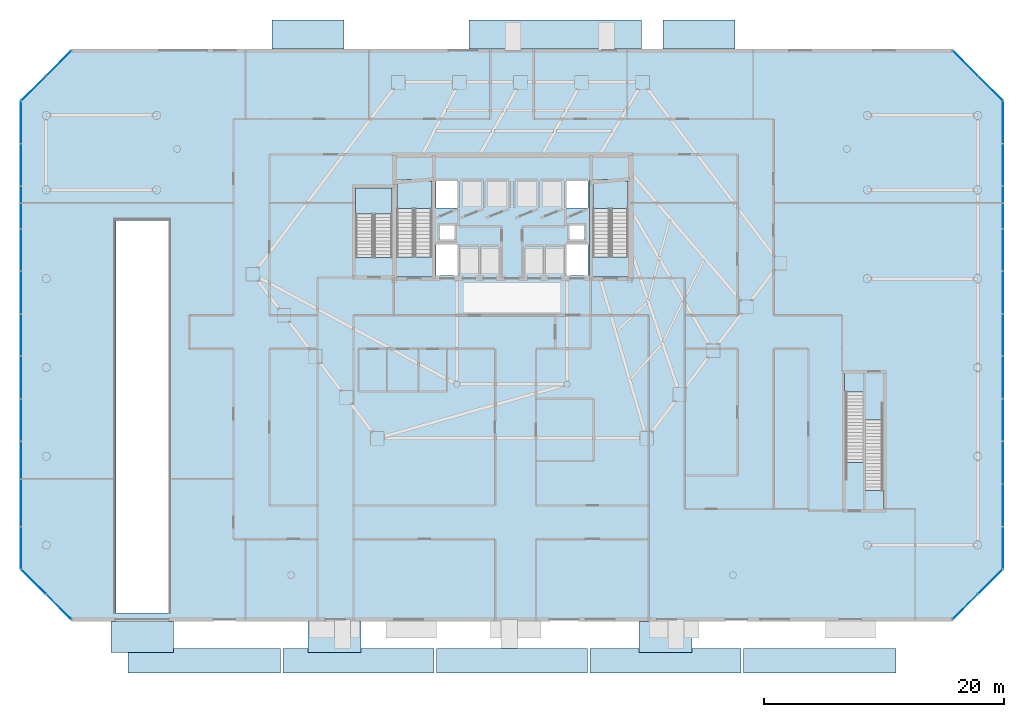
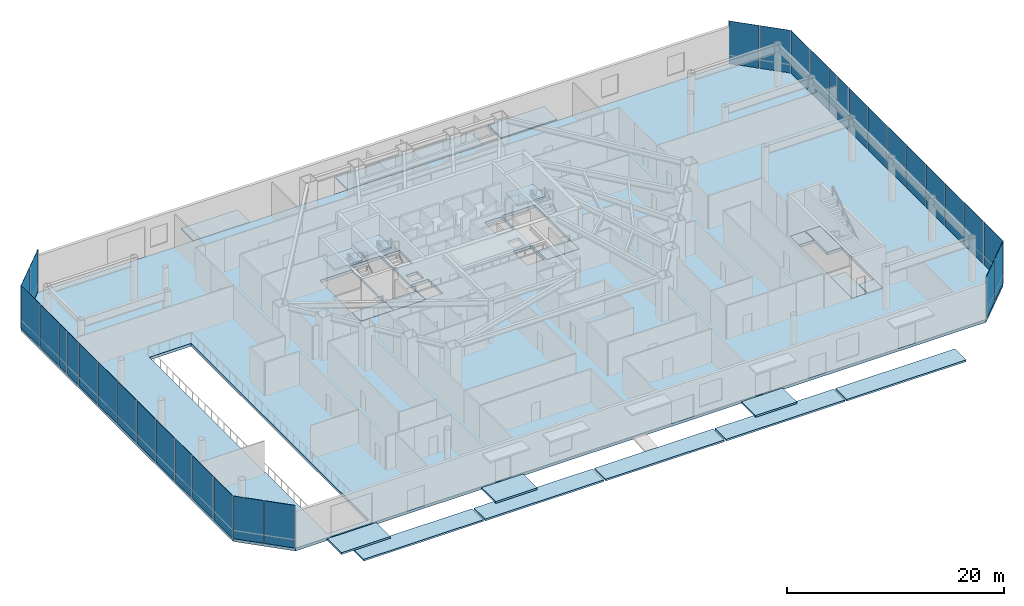
# One storey, part 21 of 31: 32 plates, 22 slabs, 9 elements without a shape of their own.
"""IFC4 building model written with IfcOpenShell, lengths in metres."""

from ifc_helpers import new_model, si_unit, direction, frame, origin, origin_2d, place, context, subcontext, project, spatial, polyline, rectangle, outline, extrude, material, layer, layer_set, type_object, element, aggregate, save


model = new_model("IFC4")

# Units and contexts
model_context = context("Model", 3, precision=1e-05, world=origin(), true_north=direction((0.0, 1.0)))
body_context = subcontext(model_context, "Body", "Model", "MODEL_VIEW")
ifc_project = project(units=[si_unit("LENGTHUNIT", "METRE"), si_unit("AREAUNIT", "SQUARE_METRE"), si_unit("VOLUMEUNIT", "CUBIC_METRE"), si_unit("PLANEANGLEUNIT", "RADIAN"), si_unit("MASSUNIT", "GRAM", prefix="KILO")], contexts=[model_context])

# Site, building, storey
site_placement = place(None, origin())
site = spatial("IfcSite", under=ifc_project, at=site_placement, CompositionType="ELEMENT")
building_placement = place(site_placement, origin())
building = spatial("IfcBuilding", under=site, at=building_placement, Name="Zarrinselat Tower", CompositionType="ELEMENT")
storey_placement = place(building_placement, origin())
storey = spatial("IfcBuildingStorey", under=building, at=storey_placement, Name="L00", CompositionType="ELEMENT", Elevation=0.0)

# Curtain wall, plates
ifc_material_1 = material(Name="Extruded Aluminium Alloy EN AW-6063 T6", Category="aluminium")
ifc_layer_1 = layer(ifc_material_1, 0.2099609375)
ifc_layer_set_1 = layer_set([ifc_layer_1], Name="Extruded Aluminium Alloy EN AW-6063 T6")
curtain_wall_type = type_object("IfcCurtainWallType", Name="CWS-POD", PredefinedType="NOTDEFINED", material=ifc_layer_set_1)
curtain_wall_1_placement = place(storey_placement, origin())
curtain_wall_1 = element("IfcCurtainWall", 1, at=curtain_wall_1_placement, inside=storey, type_object=curtain_wall_type, Name="L00 Unitised Curtain Wall CW-L00-E2", PredefinedType="NOTDEFINED")
ifc_material_2 = material(Name="Double Low-E Laminated Solar Glass", Category="glass")
ifc_layer_2 = layer(ifc_material_2, 0.035888671875)
ifc_layer_set_2 = layer_set([ifc_layer_2], Name="Double Low-E Laminated Solar Glass")
plate_type = type_object("IfcPlateType", Name="PLT-CW-GL36", PredefinedType="CURTAIN_PANEL", material=ifc_layer_set_2)
plate_1_placement = place(storey_placement, frame((76.14990234375, 5.85009765625, 0.02001953125), z_axis=(0.0, 0.0, 1.0), x_axis=(0.707106781187, 0.707106781187, 0.0)))
plate_1 = element("IfcPlate", 2, at=plate_1_placement, type_object=plate_type, Name="CW-L00-E2 Vision Glass Panel 1", PredefinedType="CURTAIN_PANEL", context=body_context, shape_type="SweptSolid", body=[
    extrude(rectangle(XDim=2.869873046875, YDim=0.035888671875, at=origin_2d()), origin(), (0.0, 0.0, 1.0), 4.780029296875),
])
plate_2_placement = place(storey_placement, frame((78.25, 7.949951171875, 0.02001953125), z_axis=(0.0, 0.0, 1.0), x_axis=(0.707106781187, 0.707106781187, 0.0)))
plate_2 = element("IfcPlate", 3, at=plate_2_placement, type_object=plate_type, Name="CW-L00-E2 Vision Glass Panel 2", PredefinedType="CURTAIN_PANEL", context=body_context, shape_type="SweptSolid", body=[
    extrude(rectangle(XDim=2.869873046875, YDim=0.035888671875, at=origin_2d()), origin(), (0.0, 0.0, 1.0), 4.780029296875),
])
aggregate(curtain_wall_1, [plate_1, plate_2])

curtain_wall_2_placement = place(storey_placement, origin())
curtain_wall_2 = element("IfcCurtainWall", 4, at=curtain_wall_2_placement, inside=storey, type_object=curtain_wall_type, Name="L00 Unitised Curtain Wall CW-L00-E3", PredefinedType="NOTDEFINED")
plate_3_placement = place(storey_placement, frame((79.300048828125, 10.772705078125, 0.02001953125), z_axis=(0.0, 0.0, 1.0), x_axis=(0.0, 1.0, 0.0)))
plate_3 = element("IfcPlate", 5, at=plate_3_placement, type_object=plate_type, Name="CW-L00-E3 Vision Glass Panel 1", PredefinedType="CURTAIN_PANEL", context=body_context, shape_type="SweptSolid", body=[
    extrude(rectangle(XDim=3.445556640625, YDim=0.035888671875, at=origin_2d()), origin(), (0.0, 0.0, 1.0), 4.780029296875),
])
plate_4_placement = place(storey_placement, frame((79.300048828125, 14.318115234375, 0.02001953125), z_axis=(0.0, 0.0, 1.0), x_axis=(0.0, 1.0, 0.0)))
plate_4 = element("IfcPlate", 6, at=plate_4_placement, type_object=plate_type, Name="CW-L00-E3 Vision Glass Panel 2", PredefinedType="CURTAIN_PANEL", context=body_context, shape_type="SweptSolid", body=[
    extrude(rectangle(XDim=3.445556640625, YDim=0.035888671875, at=origin_2d()), origin(), (0.0, 0.0, 1.0), 4.780029296875),
])
plate_5_placement = place(storey_placement, frame((79.300048828125, 17.863525390625, 0.02001953125), z_axis=(0.0, 0.0, 1.0), x_axis=(0.0, 1.0, 0.0)))
plate_5 = element("IfcPlate", 7, at=plate_5_placement, type_object=plate_type, Name="CW-L00-E3 Vision Glass Panel 3", PredefinedType="CURTAIN_PANEL", context=body_context, shape_type="SweptSolid", body=[
    extrude(rectangle(XDim=3.445556640625, YDim=0.035888671875, at=origin_2d()), origin(), (0.0, 0.0, 1.0), 4.780029296875),
])
plate_6_placement = place(storey_placement, frame((79.300048828125, 21.4091796875, 0.02001953125), z_axis=(0.0, 0.0, 1.0), x_axis=(0.0, 1.0, 0.0)))
plate_6 = element("IfcPlate", 8, at=plate_6_placement, type_object=plate_type, Name="CW-L00-E3 Vision Glass Panel 4", PredefinedType="CURTAIN_PANEL", context=body_context, shape_type="SweptSolid", body=[
    extrude(rectangle(XDim=3.445556640625, YDim=0.035888671875, at=origin_2d()), origin(), (0.0, 0.0, 1.0), 4.780029296875),
])
plate_7_placement = place(storey_placement, frame((79.300048828125, 24.95458984375, 0.02001953125), z_axis=(0.0, 0.0, 1.0), x_axis=(0.0, 1.0, 0.0)))
plate_7 = element("IfcPlate", 9, at=plate_7_placement, type_object=plate_type, Name="CW-L00-E3 Vision Glass Panel 5", PredefinedType="CURTAIN_PANEL", context=body_context, shape_type="SweptSolid", body=[
    extrude(rectangle(XDim=3.445556640625, YDim=0.035888671875, at=origin_2d()), origin(), (0.0, 0.0, 1.0), 4.780029296875),
])
plate_8_placement = place(storey_placement, frame((79.300048828125, 28.5, 0.02001953125), z_axis=(0.0, 0.0, 1.0), x_axis=(0.0, 1.0, 0.0)))
plate_8 = element("IfcPlate", 10, at=plate_8_placement, type_object=plate_type, Name="CW-L00-E3 Vision Glass Panel 6", PredefinedType="CURTAIN_PANEL", context=body_context, shape_type="SweptSolid", body=[
    extrude(rectangle(XDim=3.445556640625, YDim=0.035888671875, at=origin_2d()), origin(), (0.0, 0.0, 1.0), 4.780029296875),
])
plate_9_placement = place(storey_placement, frame((79.300048828125, 32.04541015625, 0.02001953125), z_axis=(0.0, 0.0, 1.0), x_axis=(0.0, 1.0, 0.0)))
plate_9 = element("IfcPlate", 11, at=plate_9_placement, type_object=plate_type, Name="CW-L00-E3 Vision Glass Panel 7", PredefinedType="CURTAIN_PANEL", context=body_context, shape_type="SweptSolid", body=[
    extrude(rectangle(XDim=3.445556640625, YDim=0.035888671875, at=origin_2d()), origin(), (0.0, 0.0, 1.0), 4.780029296875),
])
plate_10_placement = place(storey_placement, frame((79.300048828125, 35.5908203125, 0.02001953125), z_axis=(0.0, 0.0, 1.0), x_axis=(0.0, 1.0, 0.0)))
plate_10 = element("IfcPlate", 12, at=plate_10_placement, type_object=plate_type, Name="CW-L00-E3 Vision Glass Panel 8", PredefinedType="CURTAIN_PANEL", context=body_context, shape_type="SweptSolid", body=[
    extrude(rectangle(XDim=3.445556640625, YDim=0.035888671875, at=origin_2d()), origin(), (0.0, 0.0, 1.0), 4.780029296875),
])
plate_11_placement = place(storey_placement, frame((79.300048828125, 38.431884765625, 0.02001953125), z_axis=(0.0, 0.0, 1.0), x_axis=(0.0, 1.0, 0.0)))
plate_11 = element("IfcPlate", 13, at=plate_11_placement, type_object=plate_type, Name="CW-L00-E3 Vision Glass Panel 9", PredefinedType="CURTAIN_PANEL", context=body_context, shape_type="SweptSolid", body=[
    extrude(rectangle(XDim=2.036376953125, YDim=0.035888671875, at=origin_2d()), origin(), (0.0, 0.0, 1.0), 4.780029296875),
])
plate_12_placement = place(storey_placement, frame((79.300048828125, 40.20458984375, 0.02001953125), z_axis=(0.0, 0.0, 1.0), x_axis=(0.0, 1.0, 0.0)))
plate_12 = element("IfcPlate", 14, at=plate_12_placement, type_object=plate_type, Name="CW-L00-E3 Vision Glass Panel 10", PredefinedType="CURTAIN_PANEL", context=body_context, shape_type="SweptSolid", body=[
    extrude(rectangle(XDim=1.30908203125, YDim=0.035888671875, at=origin_2d()), origin(), (0.0, 0.0, 1.0), 4.780029296875),
])
plate_13_placement = place(storey_placement, frame((79.300048828125, 42.681884765625, 0.02001953125), z_axis=(0.0, 0.0, 1.0), x_axis=(0.0, 1.0, 0.0)))
plate_13 = element("IfcPlate", 15, at=plate_13_placement, type_object=plate_type, Name="CW-L00-E3 Vision Glass Panel 11", PredefinedType="CURTAIN_PANEL", context=body_context, shape_type="SweptSolid", body=[
    extrude(rectangle(XDim=3.445556640625, YDim=0.035888671875, at=origin_2d()), origin(), (0.0, 0.0, 1.0), 4.780029296875),
])
plate_14_placement = place(storey_placement, frame((79.300048828125, 46.227294921875, 0.02001953125), z_axis=(0.0, 0.0, 1.0), x_axis=(0.0, 1.0, 0.0)))
plate_14 = element("IfcPlate", 16, at=plate_14_placement, type_object=plate_type, Name="CW-L00-E3 Vision Glass Panel 12", PredefinedType="CURTAIN_PANEL", context=body_context, shape_type="SweptSolid", body=[
    extrude(rectangle(XDim=3.445556640625, YDim=0.035888671875, at=origin_2d()), origin(), (0.0, 0.0, 1.0), 4.780029296875),
])
aggregate(curtain_wall_2, [plate_3, plate_4, plate_5, plate_6, plate_7, plate_8, plate_9, plate_10, plate_11, plate_12, plate_13, plate_14])

curtain_wall_3_placement = place(storey_placement, origin())
curtain_wall_3 = element("IfcCurtainWall", 17, at=curtain_wall_3_placement, inside=storey, type_object=curtain_wall_type, Name="L00 Unitised Curtain Wall CW-L00-E4", PredefinedType="NOTDEFINED")
plate_15_placement = place(storey_placement, frame((78.25, 49.050048828125, 0.02001953125), z_axis=(0.0, 0.0, 1.0), x_axis=(-0.707106781187, 0.707106781187, 0.0)))
plate_15 = element("IfcPlate", 18, at=plate_15_placement, type_object=plate_type, Name="CW-L00-E4 Vision Glass Panel 1", PredefinedType="CURTAIN_PANEL", context=body_context, shape_type="SweptSolid", body=[
    extrude(rectangle(XDim=2.869873046875, YDim=0.035888671875, at=origin_2d()), origin(), (0.0, 0.0, 1.0), 4.780029296875),
])
plate_16_placement = place(storey_placement, frame((76.14990234375, 51.14990234375, 0.02001953125), z_axis=(0.0, 0.0, 1.0), x_axis=(-0.707106781187, 0.707106781187, 0.0)))
plate_16 = element("IfcPlate", 19, at=plate_16_placement, type_object=plate_type, Name="CW-L00-E4 Vision Glass Panel 2", PredefinedType="CURTAIN_PANEL", context=body_context, shape_type="SweptSolid", body=[
    extrude(rectangle(XDim=2.869873046875, YDim=0.035888671875, at=origin_2d()), origin(), (0.0, 0.0, 1.0), 4.780029296875),
])
aggregate(curtain_wall_3, [plate_15, plate_16])

curtain_wall_4_placement = place(storey_placement, origin())
curtain_wall_4 = element("IfcCurtainWall", 20, at=curtain_wall_4_placement, inside=storey, type_object=curtain_wall_type, Name="L00 Unitised Curtain Wall CW-L00-E6", PredefinedType="NOTDEFINED")
plate_17_placement = place(storey_placement, frame((0.64990234375, 51.14990234375, 0.02001953125), z_axis=(0.0, 0.0, 1.0), x_axis=(-0.707106781187, -0.707106781187, 0.0)))
plate_17 = element("IfcPlate", 21, at=plate_17_placement, type_object=plate_type, Name="CW-L00-E6 Vision Glass Panel 1", PredefinedType="CURTAIN_PANEL", context=body_context, shape_type="SweptSolid", body=[
    extrude(rectangle(XDim=2.869873046875, YDim=0.035888671875, at=origin_2d()), origin(), (0.0, 0.0, 1.0), 4.780029296875),
])
plate_18_placement = place(storey_placement, frame((-1.449951171875, 49.050048828125, 0.02001953125), z_axis=(0.0, 0.0, 1.0), x_axis=(-0.707106781187, -0.707106781187, 0.0)))
plate_18 = element("IfcPlate", 22, at=plate_18_placement, type_object=plate_type, Name="CW-L00-E6 Vision Glass Panel 2", PredefinedType="CURTAIN_PANEL", context=body_context, shape_type="SweptSolid", body=[
    extrude(rectangle(XDim=2.869873046875, YDim=0.035888671875, at=origin_2d()), origin(), (0.0, 0.0, 1.0), 4.780029296875),
])
aggregate(curtain_wall_4, [plate_17, plate_18])

curtain_wall_5_placement = place(storey_placement, origin())
curtain_wall_5 = element("IfcCurtainWall", 23, at=curtain_wall_5_placement, inside=storey, type_object=curtain_wall_type, Name="L00 Unitised Curtain Wall CW-L00-E7", PredefinedType="NOTDEFINED")
plate_19_placement = place(storey_placement, frame((-2.5, 46.227294921875, 0.02001953125), z_axis=(0.0, 0.0, 1.0), x_axis=(0.0, -1.0, 0.0)))
plate_19 = element("IfcPlate", 24, at=plate_19_placement, type_object=plate_type, Name="CW-L00-E7 Vision Glass Panel 1", PredefinedType="CURTAIN_PANEL", context=body_context, shape_type="SweptSolid", body=[
    extrude(rectangle(XDim=3.445556640625, YDim=0.035888671875, at=origin_2d()), origin(), (0.0, 0.0, 1.0), 4.780029296875),
])
plate_20_placement = place(storey_placement, frame((-2.5, 42.681884765625, 0.02001953125), z_axis=(0.0, 0.0, 1.0), x_axis=(0.0, -1.0, 0.0)))
plate_20 = element("IfcPlate", 25, at=plate_20_placement, type_object=plate_type, Name="CW-L00-E7 Vision Glass Panel 2", PredefinedType="CURTAIN_PANEL", context=body_context, shape_type="SweptSolid", body=[
    extrude(rectangle(XDim=3.445556640625, YDim=0.035888671875, at=origin_2d()), origin(), (0.0, 0.0, 1.0), 4.780029296875),
])
plate_21_placement = place(storey_placement, frame((-2.5, 40.20458984375, 0.02001953125), z_axis=(0.0, 0.0, 1.0), x_axis=(0.0, -1.0, 0.0)))
plate_21 = element("IfcPlate", 26, at=plate_21_placement, type_object=plate_type, Name="CW-L00-E7 Vision Glass Panel 3", PredefinedType="CURTAIN_PANEL", context=body_context, shape_type="SweptSolid", body=[
    extrude(rectangle(XDim=1.30908203125, YDim=0.035888671875, at=origin_2d()), origin(), (0.0, 0.0, 1.0), 4.780029296875),
])
plate_22_placement = place(storey_placement, frame((-2.5, 38.431884765625, 0.02001953125), z_axis=(0.0, 0.0, 1.0), x_axis=(0.0, -1.0, 0.0)))
plate_22 = element("IfcPlate", 27, at=plate_22_placement, type_object=plate_type, Name="CW-L00-E7 Vision Glass Panel 4", PredefinedType="CURTAIN_PANEL", context=body_context, shape_type="SweptSolid", body=[
    extrude(rectangle(XDim=2.036376953125, YDim=0.035888671875, at=origin_2d()), origin(), (0.0, 0.0, 1.0), 4.780029296875),
])
plate_23_placement = place(storey_placement, frame((-2.5, 35.5908203125, 0.02001953125), z_axis=(0.0, 0.0, 1.0), x_axis=(0.0, -1.0, 0.0)))
plate_23 = element("IfcPlate", 28, at=plate_23_placement, type_object=plate_type, Name="CW-L00-E7 Vision Glass Panel 5", PredefinedType="CURTAIN_PANEL", context=body_context, shape_type="SweptSolid", body=[
    extrude(rectangle(XDim=3.445556640625, YDim=0.035888671875, at=origin_2d()), origin(), (0.0, 0.0, 1.0), 4.780029296875),
])
plate_24_placement = place(storey_placement, frame((-2.5, 32.04541015625, 0.02001953125), z_axis=(0.0, 0.0, 1.0), x_axis=(0.0, -1.0, 0.0)))
plate_24 = element("IfcPlate", 29, at=plate_24_placement, type_object=plate_type, Name="CW-L00-E7 Vision Glass Panel 6", PredefinedType="CURTAIN_PANEL", context=body_context, shape_type="SweptSolid", body=[
    extrude(rectangle(XDim=3.445556640625, YDim=0.035888671875, at=origin_2d()), origin(), (0.0, 0.0, 1.0), 4.780029296875),
])
plate_25_placement = place(storey_placement, frame((-2.5, 28.5, 0.02001953125), z_axis=(0.0, 0.0, 1.0), x_axis=(0.0, -1.0, 0.0)))
plate_25 = element("IfcPlate", 30, at=plate_25_placement, type_object=plate_type, Name="CW-L00-E7 Vision Glass Panel 7", PredefinedType="CURTAIN_PANEL", context=body_context, shape_type="SweptSolid", body=[
    extrude(rectangle(XDim=3.445556640625, YDim=0.035888671875, at=origin_2d()), origin(), (0.0, 0.0, 1.0), 4.780029296875),
])
plate_26_placement = place(storey_placement, frame((-2.5, 24.95458984375, 0.02001953125), z_axis=(0.0, 0.0, 1.0), x_axis=(0.0, -1.0, 0.0)))
plate_26 = element("IfcPlate", 31, at=plate_26_placement, type_object=plate_type, Name="CW-L00-E7 Vision Glass Panel 8", PredefinedType="CURTAIN_PANEL", context=body_context, shape_type="SweptSolid", body=[
    extrude(rectangle(XDim=3.445556640625, YDim=0.035888671875, at=origin_2d()), origin(), (0.0, 0.0, 1.0), 4.780029296875),
])
plate_27_placement = place(storey_placement, frame((-2.5, 21.4091796875, 0.02001953125), z_axis=(0.0, 0.0, 1.0), x_axis=(0.0, -1.0, 0.0)))
plate_27 = element("IfcPlate", 32, at=plate_27_placement, type_object=plate_type, Name="CW-L00-E7 Vision Glass Panel 9", PredefinedType="CURTAIN_PANEL", context=body_context, shape_type="SweptSolid", body=[
    extrude(rectangle(XDim=3.445556640625, YDim=0.035888671875, at=origin_2d()), origin(), (0.0, 0.0, 1.0), 4.780029296875),
])
plate_28_placement = place(storey_placement, frame((-2.5, 18.068115234375, 0.02001953125), z_axis=(0.0, 0.0, 1.0), x_axis=(0.0, -1.0, 0.0)))
plate_28 = element("IfcPlate", 33, at=plate_28_placement, type_object=plate_type, Name="CW-L00-E7 Vision Glass Panel 10", PredefinedType="CURTAIN_PANEL", context=body_context, shape_type="SweptSolid", body=[
    extrude(rectangle(XDim=3.036376953125, YDim=0.035888671875, at=origin_2d()), origin(), (0.0, 0.0, 1.0), 4.780029296875),
])
plate_29_placement = place(storey_placement, frame((-2.5, 14.522705078125, 0.02001953125), z_axis=(0.0, 0.0, 1.0), x_axis=(0.0, -1.0, 0.0)))
plate_29 = element("IfcPlate", 34, at=plate_29_placement, type_object=plate_type, Name="CW-L00-E7 Vision Glass Panel 11", PredefinedType="CURTAIN_PANEL", context=body_context, shape_type="SweptSolid", body=[
    extrude(rectangle(XDim=3.8544921875, YDim=0.035888671875, at=origin_2d()), origin(), (0.0, 0.0, 1.0), 4.780029296875),
])
plate_30_placement = place(storey_placement, frame((-2.5, 10.772705078125, 0.02001953125), z_axis=(0.0, 0.0, 1.0), x_axis=(0.0, -1.0, 0.0)))
plate_30 = element("IfcPlate", 35, at=plate_30_placement, type_object=plate_type, Name="CW-L00-E7 Vision Glass Panel 12", PredefinedType="CURTAIN_PANEL", context=body_context, shape_type="SweptSolid", body=[
    extrude(rectangle(XDim=3.445556640625, YDim=0.035888671875, at=origin_2d()), origin(), (0.0, 0.0, 1.0), 4.780029296875),
])
aggregate(curtain_wall_5, [plate_19, plate_20, plate_21, plate_22, plate_23, plate_24, plate_25, plate_26, plate_27, plate_28, plate_29, plate_30])

curtain_wall_6_placement = place(storey_placement, origin())
curtain_wall_6 = element("IfcCurtainWall", 36, at=curtain_wall_6_placement, inside=storey, type_object=curtain_wall_type, Name="L00 Unitised Curtain Wall CW-L00-E8", PredefinedType="NOTDEFINED")
plate_31_placement = place(storey_placement, frame((-1.449951171875, 7.949951171875, 0.02001953125), z_axis=(0.0, 0.0, 1.0), x_axis=(0.707106781187, -0.707106781187, 0.0)))
plate_31 = element("IfcPlate", 37, at=plate_31_placement, type_object=plate_type, Name="CW-L00-E8 Vision Glass Panel 1", PredefinedType="CURTAIN_PANEL", context=body_context, shape_type="SweptSolid", body=[
    extrude(rectangle(XDim=2.869873046875, YDim=0.035888671875, at=origin_2d()), origin(), (0.0, 0.0, 1.0), 4.780029296875),
])
plate_32_placement = place(storey_placement, frame((0.64990234375, 5.85009765625, 0.02001953125), z_axis=(0.0, 0.0, 1.0), x_axis=(0.707106781187, -0.707106781187, 0.0)))
plate_32 = element("IfcPlate", 38, at=plate_32_placement, type_object=plate_type, Name="CW-L00-E8 Vision Glass Panel 2", PredefinedType="CURTAIN_PANEL", context=body_context, shape_type="SweptSolid", body=[
    extrude(rectangle(XDim=2.869873046875, YDim=0.035888671875, at=origin_2d()), origin(), (0.0, 0.0, 1.0), 4.780029296875),
])
aggregate(curtain_wall_6, [plate_31, plate_32])

# Slabs
ifc_material_3 = material(Name="Concrete C40/50", Category="concrete")
ifc_layer_3 = layer(ifc_material_3, 0.320068359375)
ifc_layer_set_3 = layer_set([ifc_layer_3], Name="Concrete C40/50")
slab_type_1 = type_object("IfcSlabType", Name="SLB-FLOOR-320-SL-PD320", PredefinedType="FLOOR", material=ifc_layer_set_3)
slab_1_placement = place(storey_placement, frame((0.0, 0.0, -0.320068359375)))
element("IfcSlab", 39, at=slab_1_placement, inside=storey, type_object=slab_type_1, Name="L00 Primary Structural Slab", PredefinedType="FLOOR", context=body_context, shape_type="SweptSolid", body=[
    extrude(outline(polyline([(1.699951171875, 4.800048828125), (75.10009765625, 4.800048828125), (79.300048828125, 9.0), (79.300048828125, 48.0), (75.10009765625, 52.199951171875), (1.699951171875, 52.199951171875), (-2.5, 48.0), (-2.5, 9.0), (1.699951171875, 4.800048828125)]), holes=[polyline([(9.805908203125, 5.35595703125), (5.39404296875, 5.35595703125), (5.39404296875, 38.0458984375), (9.805908203125, 38.0458984375), (9.805908203125, 5.35595703125)]), polyline([(33.89990234375, 33.449951171875), (32.06005859375, 33.449951171875), (32.06005859375, 36.050048828125), (33.89990234375, 36.050048828125), (33.89990234375, 33.449951171875)]), polyline([(33.60009765625, 36.47998046875), (32.419921875, 36.47998046875), (32.419921875, 37.639892578125), (33.60009765625, 37.639892578125), (33.60009765625, 36.47998046875)]), polyline([(28.594970703125, 33.324951171875), (25.114990234375, 33.324951171875), (25.114990234375, 40.875), (28.594970703125, 40.875), (28.594970703125, 33.324951171875)]), polyline([(31.985107421875, 33.324951171875), (28.60498046875, 33.324951171875), (28.60498046875, 41.47509765625), (31.985107421875, 41.47509765625), (31.985107421875, 33.324951171875)]), polyline([(33.89990234375, 39.10009765625), (32.06005859375, 39.10009765625), (32.06005859375, 41.35009765625), (33.89990234375, 41.35009765625), (33.89990234375, 39.10009765625)]), polyline([(69.385009765625, 13.9150390625), (66.114990234375, 13.9150390625), (66.114990234375, 25.385009765625), (69.385009765625, 25.385009765625), (69.385009765625, 13.9150390625)]), polyline([(42.89990234375, 33.449951171875), (42.89990234375, 36.050048828125), (44.739990234375, 36.050048828125), (44.739990234375, 33.449951171875), (42.89990234375, 33.449951171875)]), polyline([(44.3798828125, 36.47998046875), (43.199951171875, 36.47998046875), (43.199951171875, 37.639892578125), (44.3798828125, 37.639892578125), (44.3798828125, 36.47998046875)]), polyline([(48.324951171875, 33.324951171875), (44.875, 33.324951171875), (44.875, 41.47509765625), (48.324951171875, 41.47509765625), (48.324951171875, 33.324951171875)]), polyline([(42.89990234375, 39.10009765625), (42.89990234375, 41.35009765625), (44.739990234375, 41.35009765625), (44.739990234375, 39.10009765625), (42.89990234375, 39.10009765625)])]), origin(), (0.0, 0.0, 1.0), 0.320068359375),
])
slab_2_placement = place(storey_placement, frame((0.0, 0.0, -0.320068359375)))
element("IfcSlab", 40, at=slab_2_placement, inside=storey, type_object=slab_type_1, Name="L00 Stair ST-1-FL1 Structural Floor Landing", PredefinedType="FLOOR", context=body_context, shape_type="SweptSolid", body=[
    extrude(outline(polyline([(31.97998046875, 33.330078125), (31.97998046875, 35.0), (28.610107421875, 35.0), (28.610107421875, 33.330078125), (31.97998046875, 33.330078125)])), origin(), (0.0, 0.0, 1.0), 0.320068359375),
])
slab_3_placement = place(storey_placement, frame((0.0, 0.0, -0.320068359375)))
element("IfcSlab", 41, at=slab_3_placement, inside=storey, type_object=slab_type_1, Name="L00 Stair ST-2-FL1 Structural Floor Landing", PredefinedType="FLOOR", context=body_context, shape_type="SweptSolid", body=[
    extrude(outline(polyline([(48.320068359375, 33.330078125), (48.320068359375, 35.0), (44.8798828125, 35.0), (44.8798828125, 33.330078125), (48.320068359375, 33.330078125)])), origin(), (0.0, 0.0, 1.0), 0.320068359375),
])
slab_4_placement = place(storey_placement, frame((0.0, 0.0, -0.320068359375)))
element("IfcSlab", 42, at=slab_4_placement, inside=storey, type_object=slab_type_1, Name="L00 Stair ST-3-FL1 Structural Floor Landing", PredefinedType="FLOOR", context=body_context, shape_type="SweptSolid", body=[
    extrude(outline(polyline([(28.590087890625, 33.330078125), (28.590087890625, 34.949951171875), (25.1201171875, 34.949951171875), (25.1201171875, 33.330078125), (28.590087890625, 33.330078125)])), origin(), (0.0, 0.0, 1.0), 0.320068359375),
])
slab_5_placement = place(storey_placement, frame((0.0, 0.0, -0.320068359375)))
element("IfcSlab", 43, at=slab_5_placement, inside=storey, type_object=slab_type_1, Name="L00 Stair ST-4-FL1 Structural Floor Landing", PredefinedType="FLOOR", context=body_context, shape_type="SweptSolid", body=[
    extrude(outline(polyline([(67.7099609375, 13.919921875), (67.7099609375, 17.8701171875), (66.1201171875, 17.8701171875), (66.1201171875, 13.919921875), (67.7099609375, 13.919921875)])), origin(), (0.0, 0.0, 1.0), 0.320068359375),
])
slab_6_placement = place(storey_placement, frame((0.0, 0.0, -0.320068359375)))
element("IfcSlab", 44, at=slab_6_placement, inside=storey, type_object=slab_type_1, Name="L00 Stair ST-4-FL2 Structural Floor Landing", PredefinedType="FLOOR", context=body_context, shape_type="SweptSolid", body=[
    extrude(outline(polyline([(69.3798828125, 13.919921875), (69.3798828125, 15.550048828125), (67.7900390625, 15.550048828125), (67.7900390625, 13.919921875), (69.3798828125, 13.919921875)])), origin(), (0.0, 0.0, 1.0), 0.320068359375),
])
slab_7_placement = place(storey_placement, frame((0.0, 0.0, -0.320068359375)))
element("IfcSlab", 45, at=slab_7_placement, inside=storey, type_object=slab_type_1, Name="L00 Stair ST-4-FL3 Structural Floor Landing", PredefinedType="FLOOR", context=body_context, shape_type="SweptSolid", body=[
    extrude(outline(polyline([(69.3798828125, 21.429931640625), (69.3798828125, 25.3798828125), (67.7900390625, 25.3798828125), (67.7900390625, 21.429931640625), (69.3798828125, 21.429931640625)])), origin(), (0.0, 0.0, 1.0), 0.320068359375),
])
slab_8_placement = place(storey_placement, frame((0.0, 0.0, -0.320068359375)))
element("IfcSlab", 46, at=slab_8_placement, inside=storey, type_object=slab_type_1, Name="L00 Stair ST-4-FL4 Structural Floor Landing", PredefinedType="FLOOR", context=body_context, shape_type="SweptSolid", body=[
    extrude(outline(polyline([(67.7099609375, 23.75), (67.7099609375, 25.3798828125), (66.1201171875, 25.3798828125), (66.1201171875, 23.75), (67.7099609375, 23.75)])), origin(), (0.0, 0.0, 1.0), 0.320068359375),
])

# Stair, slab
ifc_material_4 = material(Name="Concrete C40/50", Category="concrete")
stair_type_1 = type_object("IfcStairType", Name="STR-CORE-145", PredefinedType="HALF_TURN_STAIR", material=ifc_material_4)
stair_1_placement = place(storey_placement, origin())
stair_1 = element("IfcStair", 47, at=stair_1_placement, inside=storey, type_object=stair_type_1, Name="L00 Podium & Mid-Tower Exit Stair 3", PredefinedType="HALF_TURN_STAIR")
ifc_material_5 = material(Name="Concrete C40/50", Category="concrete")
ifc_layer_4 = layer(ifc_material_5, 0.1650390625)
ifc_layer_set_4 = layer_set([ifc_layer_4], Name="Concrete C40/50")
slab_type_2 = type_object("IfcSlabType", Name="SLB-LND-165", PredefinedType="LANDING", material=ifc_layer_set_4)
slab_9_placement = place(storey_placement, frame((0.0, 0.0, 2.35009765625)))
slab_9 = element("IfcSlab", 48, at=slab_9_placement, type_object=slab_type_2, Name="ST-3 landing 1", PredefinedType="LANDING", context=body_context, shape_type="SweptSolid", body=[
    extrude(outline(polyline([(28.39990234375, 38.590087890625), (28.39990234375, 40.75), (25.3798828125, 40.75), (25.3798828125, 38.590087890625), (28.39990234375, 38.590087890625)])), origin(), (0.0, 0.0, 1.0), 0.199951171875),
])
aggregate(stair_1, [slab_9])

ifc_material_6 = material(Name="Concrete C40/50", Category="concrete")
stair_type_2 = type_object("IfcStairType", Name="STR-CORE-155", PredefinedType="HALF_TURN_STAIR", material=ifc_material_6)
stair_2_placement = place(storey_placement, origin())
stair_2 = element("IfcStair", 49, at=stair_2_placement, inside=storey, type_object=stair_type_2, Name="L00 Core Exit Stair 1", PredefinedType="HALF_TURN_STAIR")
ifc_material_7 = material(Name="Concrete C40/50", Category="concrete")
ifc_layer_5 = layer(ifc_material_7, 0.18994140625)
ifc_layer_set_5 = layer_set([ifc_layer_5], Name="Concrete C40/50")
slab_type_3 = type_object("IfcSlabType", Name="SLB-LND-190", PredefinedType="LANDING", material=ifc_layer_set_5)
slab_10_placement = place(storey_placement, frame((0.0, 0.0, 2.35009765625)))
slab_10 = element("IfcSlab", 50, at=slab_10_placement, type_object=slab_type_3, Name="ST-1 landing 1", PredefinedType="LANDING", context=body_context, shape_type="SweptSolid", body=[
    extrude(outline(polyline([(31.719970703125, 39.030029296875), (31.719970703125, 41.35009765625), (28.800048828125, 41.35009765625), (28.800048828125, 39.030029296875), (31.719970703125, 39.030029296875)])), origin(), (0.0, 0.0, 1.0), 0.199951171875),
])
aggregate(stair_2, [slab_10])

stair_3_placement = place(storey_placement, origin())
stair_3 = element("IfcStair", 51, at=stair_3_placement, inside=storey, type_object=stair_type_2, Name="L00 Core Exit Stair 2", PredefinedType="HALF_TURN_STAIR")
slab_11_placement = place(storey_placement, frame((0.0, 0.0, 2.35009765625)))
slab_11 = element("IfcSlab", 52, at=slab_11_placement, type_object=slab_type_3, Name="ST-2 landing 1", PredefinedType="LANDING", context=body_context, shape_type="SweptSolid", body=[
    extrude(outline(polyline([(48.06005859375, 39.030029296875), (48.06005859375, 41.35009765625), (45.139892578125, 41.35009765625), (45.139892578125, 39.030029296875), (48.06005859375, 39.030029296875)])), origin(), (0.0, 0.0, 1.0), 0.199951171875),
])
aggregate(stair_3, [slab_11])

# Slabs
ifc_material_8 = material(Name="Concrete C35/45", Category="concrete")
ifc_layer_6 = layer(ifc_material_8, 0.199951171875)
ifc_layer_set_6 = layer_set([ifc_layer_6], Name="Concrete C35/45")
slab_type_4 = type_object("IfcSlabType", Name="SLB-PAVING-200-SL-PV180", PredefinedType="USERDEFINED", material=ifc_layer_set_6)
slab_12_placement = place(storey_placement, frame((0.0, 0.0, -0.39990234375)))
element("IfcSlab", 53, at=slab_12_placement, inside=storey, type_object=slab_type_4, Name="L00 Pishtaq South Forecourt Plaza Paving 1", ObjectType="PAVING", PredefinedType="USERDEFINED", context=body_context, shape_type="SweptSolid", body=[
    extrude(outline(polyline([(6.39990234375, 0.35009765625), (19.10009765625, 0.35009765625), (19.10009765625, 2.39990234375), (6.39990234375, 2.39990234375), (6.39990234375, 0.35009765625)])), origin(), (0.0, 0.0, 1.0), 0.199951171875),
])
slab_13_placement = place(storey_placement, frame((0.0, 0.0, -0.39990234375)))
element("IfcSlab", 54, at=slab_13_placement, inside=storey, type_object=slab_type_4, Name="L00 Pishtaq South Forecourt Plaza Paving 2", ObjectType="PAVING", PredefinedType="USERDEFINED", context=body_context, shape_type="SweptSolid", body=[
    extrude(outline(polyline([(19.300048828125, 0.35009765625), (31.89990234375, 0.35009765625), (31.89990234375, 2.39990234375), (19.300048828125, 2.39990234375), (19.300048828125, 0.35009765625)])), origin(), (0.0, 0.0, 1.0), 0.199951171875),
])
slab_14_placement = place(storey_placement, frame((0.0, 0.0, -0.39990234375)))
element("IfcSlab", 55, at=slab_14_placement, inside=storey, type_object=slab_type_4, Name="L00 Pishtaq South Forecourt Plaza Paving 3", ObjectType="PAVING", PredefinedType="USERDEFINED", context=body_context, shape_type="SweptSolid", body=[
    extrude(outline(polyline([(32.10009765625, 0.35009765625), (44.699951171875, 0.35009765625), (44.699951171875, 2.39990234375), (32.10009765625, 2.39990234375), (32.10009765625, 0.35009765625)])), origin(), (0.0, 0.0, 1.0), 0.199951171875),
])
slab_15_placement = place(storey_placement, frame((0.0, 0.0, -0.39990234375)))
element("IfcSlab", 56, at=slab_15_placement, inside=storey, type_object=slab_type_4, Name="L00 Pishtaq South Forecourt Plaza Paving 4", ObjectType="PAVING", PredefinedType="USERDEFINED", context=body_context, shape_type="SweptSolid", body=[
    extrude(outline(polyline([(44.89990234375, 0.35009765625), (57.5, 0.35009765625), (57.5, 2.39990234375), (44.89990234375, 2.39990234375), (44.89990234375, 0.35009765625)])), origin(), (0.0, 0.0, 1.0), 0.199951171875),
])
slab_16_placement = place(storey_placement, frame((0.0, 0.0, -0.39990234375)))
element("IfcSlab", 57, at=slab_16_placement, inside=storey, type_object=slab_type_4, Name="L00 Pishtaq South Forecourt Plaza Paving 5", ObjectType="PAVING", PredefinedType="USERDEFINED", context=body_context, shape_type="SweptSolid", body=[
    extrude(outline(polyline([(57.699951171875, 0.35009765625), (70.39990234375, 0.35009765625), (70.39990234375, 2.39990234375), (57.699951171875, 2.39990234375), (57.699951171875, 0.35009765625)])), origin(), (0.0, 0.0, 1.0), 0.199951171875),
])
slab_17_placement = place(storey_placement, frame((0.0, 0.0, -0.199951171875)))
element("IfcSlab", 58, at=slab_17_placement, inside=storey, type_object=slab_type_4, Name="L00 Vehicle Entrance Driveway Apron Paving", ObjectType="PAVING", PredefinedType="USERDEFINED", context=body_context, shape_type="SweptSolid", body=[
    extrude(outline(polyline([(5.0, 2.050048828125), (10.199951171875, 2.050048828125), (10.199951171875, 4.64990234375), (5.0, 4.64990234375), (5.0, 2.050048828125)])), origin(), (0.0, 0.0, 1.0), 0.199951171875),
])
slab_18_placement = place(storey_placement, frame((0.0, 0.0, -0.199951171875)))
element("IfcSlab", 59, at=slab_18_placement, inside=storey, type_object=slab_type_4, Name="L00 West Stair Protected Exit Threshold Paving", ObjectType="PAVING", PredefinedType="USERDEFINED", context=body_context, shape_type="SweptSolid", body=[
    extrude(outline(polyline([(21.39990234375, 2.050048828125), (25.800048828125, 2.050048828125), (25.800048828125, 4.64990234375), (21.39990234375, 4.64990234375), (21.39990234375, 2.050048828125)])), origin(), (0.0, 0.0, 1.0), 0.199951171875),
])
slab_19_placement = place(storey_placement, frame((0.0, 0.0, -0.199951171875)))
element("IfcSlab", 60, at=slab_19_placement, inside=storey, type_object=slab_type_4, Name="L00 East Stair Protected Exit Threshold Paving", ObjectType="PAVING", PredefinedType="USERDEFINED", context=body_context, shape_type="SweptSolid", body=[
    extrude(outline(polyline([(49.0, 2.050048828125), (53.39990234375, 2.050048828125), (53.39990234375, 4.64990234375), (49.0, 4.64990234375), (49.0, 2.050048828125)])), origin(), (0.0, 0.0, 1.0), 0.199951171875),
])
slab_20_placement = place(storey_placement, frame((0.0, 0.0, -0.39990234375)))
element("IfcSlab", 61, at=slab_20_placement, inside=storey, type_object=slab_type_4, Name="L00 North Exit Forecourt Plaza Paving NW", ObjectType="PAVING", PredefinedType="USERDEFINED", context=body_context, shape_type="SweptSolid", body=[
    extrude(outline(polyline([(18.39990234375, 52.35009765625), (24.39990234375, 52.35009765625), (24.39990234375, 54.75), (18.39990234375, 54.75), (18.39990234375, 52.35009765625)])), origin(), (0.0, 0.0, 1.0), 0.199951171875),
])
slab_21_placement = place(storey_placement, frame((0.0, 0.0, -0.199951171875)))
element("IfcSlab", 62, at=slab_21_placement, inside=storey, type_object=slab_type_4, Name="L00 North Exit Forecourt Plaza Paving NE", ObjectType="PAVING", PredefinedType="USERDEFINED", context=body_context, shape_type="SweptSolid", body=[
    extrude(outline(polyline([(51.0, 52.35009765625), (57.0, 52.35009765625), (57.0, 54.75), (51.0, 54.75), (51.0, 52.35009765625)])), origin(), (0.0, 0.0, 1.0), 0.199951171875),
])
slab_22_placement = place(storey_placement, frame((0.0, 0.0, -0.39990234375)))
element("IfcSlab", 63, at=slab_22_placement, inside=storey, type_object=slab_type_4, Name="L00 North Exit Forecourt Plaza Paving NC", ObjectType="PAVING", PredefinedType="USERDEFINED", context=body_context, shape_type="SweptSolid", body=[
    extrude(outline(polyline([(34.800048828125, 52.35009765625), (49.199951171875, 52.35009765625), (49.199951171875, 54.75), (34.800048828125, 54.75), (34.800048828125, 52.35009765625)])), origin(), (0.0, 0.0, 1.0), 0.199951171875),
])

save(model, "model.ifc")
